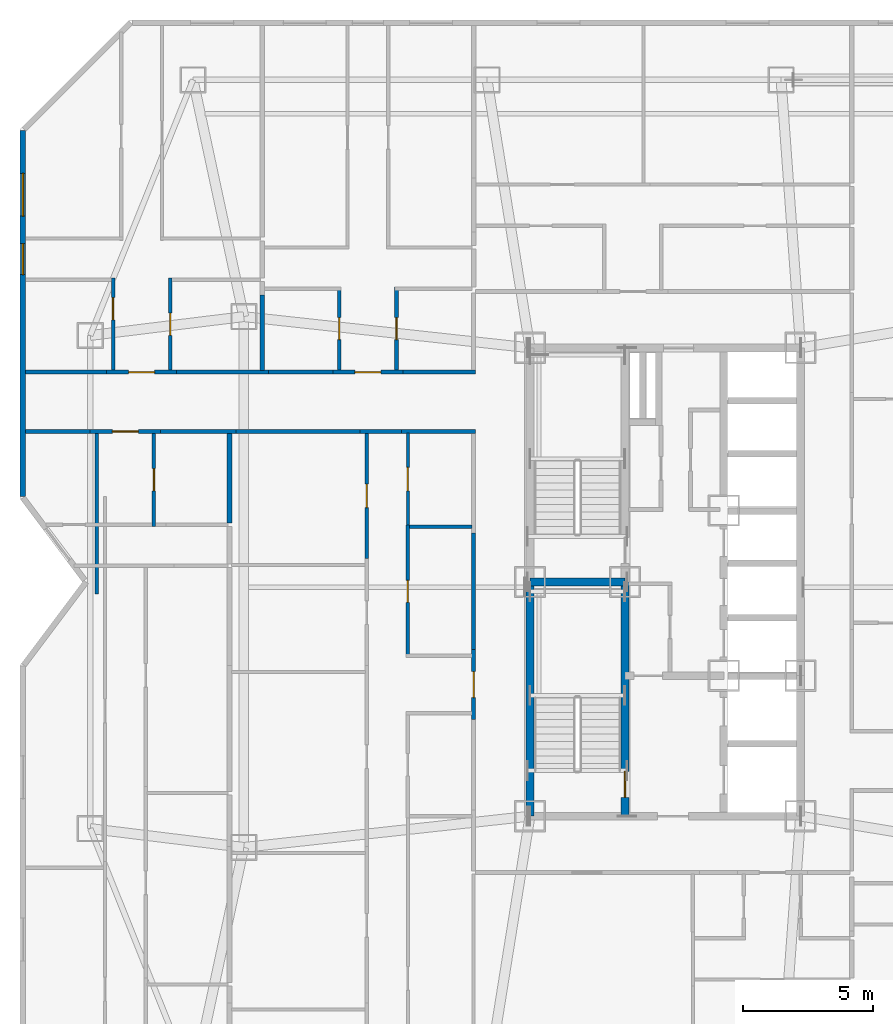
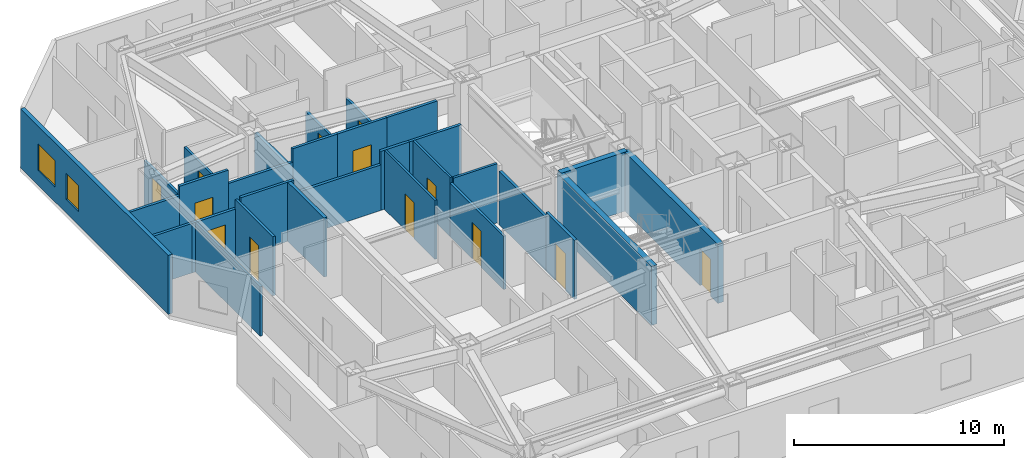
# One storey, part 7 of 12: 30 walls, 13 doors, 2 windows, 15 openings.
"""IFC4 building model written with IfcOpenShell, lengths in metres."""

from ifc_helpers import new_model, si_unit, direction, frame, frame_2d, origin, place, context, subcontext, project, spatial, rectangle, extrude, material, layer, layer_set, type_object, element, fill, save


model = new_model("IFC4")

# Units and contexts
model_context = context("Model", 3, precision=1e-05, world=origin(), true_north=direction((0.0, 1.0)))
body_context = subcontext(model_context, "Body", "Model", "MODEL_VIEW")
ifc_project = project(units=[si_unit("LENGTHUNIT", "METRE"), si_unit("AREAUNIT", "SQUARE_METRE"), si_unit("VOLUMEUNIT", "CUBIC_METRE"), si_unit("PLANEANGLEUNIT", "RADIAN"), si_unit("MASSUNIT", "GRAM", prefix="KILO")], contexts=[model_context])

# Site, building, storey
site_placement = place(None, origin())
site = spatial("IfcSite", under=ifc_project, at=site_placement, CompositionType="ELEMENT")
building_placement = place(site_placement, origin())
building = spatial("IfcBuilding", under=site, at=building_placement, Name="Khamvora Tower", CompositionType="ELEMENT")
storey_placement = place(building_placement, frame((0.0, 0.0, 127.449951171875)))
storey = spatial("IfcBuildingStorey", under=building, at=storey_placement, Name="L32", CompositionType="ELEMENT", Elevation=127.449951171875)

# Wall
ifc_material_1 = material(Name="Concrete C50/60", Category="concrete")
ifc_layer_1 = layer(ifc_material_1, 0.300048828125)
ifc_layer_set_1 = layer_set([ifc_layer_1], Name="Concrete C50/60")
wall_type_1 = type_object("IfcWallType", Name="WAL-CORE-300", PredefinedType="SHEAR", material=ifc_layer_set_1)
wall_1_placement = place(storey_placement, frame((29.0, 19.0, 0.0), z_axis=(0.0, 0.0, 1.0), x_axis=(0.0, 1.0, 0.0)))
element("IfcWall", 1, at=wall_1_placement, inside=storey, type_object=wall_type_1, Name="L32 central core west south wall", PredefinedType="SHEAR", context=body_context, shape_type="SweptSolid", body=[
    extrude(rectangle(XDim=9.0, YDim=0.300048828125, at=frame_2d((4.5, 0.0))), origin(), (0.0, 0.0, 1.0), 3.429931640625),
])

# Wall, opening, door
wall_2_placement = place(storey_placement, frame((32.64990234375, 19.0, 0.0), z_axis=(0.0, 0.0, 1.0), x_axis=(0.0, 1.0, 0.0)))
wall_2 = element("IfcWall", 2, at=wall_2_placement, inside=storey, type_object=wall_type_1, Name="L32 central core stair south spine wall", PredefinedType="SHEAR", context=body_context, shape_type="SweptSolid", body=[
    extrude(rectangle(XDim=9.0, YDim=0.300048828125, at=frame_2d((4.5, 0.0))), origin(), (0.0, 0.0, 1.0), 3.429931640625),
])
opening_1_placement = place(wall_2_placement, frame((0.719970703125, 0.0, 0.0)))
opening_1 = element("IfcOpeningElement", 3, at=opening_1_placement, cuts=wall_2, Name="Opening D-ST1", PredefinedType="OPENING", context=body_context, shape_type="SweptSolid", body=[
    extrude(rectangle(XDim=1.0, YDim=2.14990234375, at=frame_2d((0.5, 1.074951171875))), frame((0.0, 0.159912109375, 0.0), z_axis=(0.0, -1.0, 0.0), x_axis=(1.0, 0.0, 0.0)), (0.0, 0.0, 1.0), 0.320068359375),
])
ifc_material_2 = material(Name="Powder-Coated Steel and Hardwood Leaf", Category="steel")
door_type_1 = type_object("IfcDoorType", Name="DOR-STAIR-1000", OperationType="NOTDEFINED", PredefinedType="DOOR", material=ifc_material_2)
door_1_placement = place(opening_1_placement, origin())
door_1 = element("IfcDoor", 4, at=door_1_placement, inside=storey, type_object=door_type_1, Name="L32 exit stair ST-01 fire door", OperationType="SINGLE_SWING_RIGHT", OverallHeight=2.14990234375, OverallWidth=1.0, PredefinedType="DOOR", context=body_context, shape_type="SweptSolid", body=[
    extrude(rectangle(XDim=1.0, YDim=2.14990234375, at=frame_2d((0.5, 1.074951171875))), frame((0.0, 0.02490234375, 0.0), z_axis=(0.0, -1.0, 0.0), x_axis=(1.0, 0.0, 0.0)), (0.0, 0.0, 1.0), 0.050048828125),
])
fill(opening_1, door_1)

# Wall
wall_3_placement = place(storey_placement, frame((29.0, 28.0, 0.0), z_axis=(0.0, 0.0, 1.0), x_axis=(1.0, 0.0, 0.0)))
element("IfcWall", 5, at=wall_3_placement, inside=storey, type_object=wall_type_1, Name="L32 central core stair cross wall", PredefinedType="SHEAR", context=body_context, shape_type="SweptSolid", body=[
    extrude(rectangle(XDim=3.64990234375, YDim=0.300048828125, at=frame_2d((1.824951171875, 0.0))), origin(), (0.0, 0.0, 1.0), 3.429931640625),
])

# Wall, opening, door
ifc_material_3 = material(Name="Fire-Rated Drywall and Steel Stud", Category="steel")
ifc_layer_2 = layer(ifc_material_3, 0.14990234375)
ifc_layer_set_2 = layer_set([ifc_layer_2], Name="Fire-Rated Drywall and Steel Stud")
wall_type_2 = type_object("IfcWallType", Name="WAL-CORR-150", PredefinedType="STANDARD", material=ifc_layer_set_2)
wall_4_placement = place(storey_placement, frame((14.7958984375, 33.784912109375, 0.0), z_axis=(0.0, 0.0, 1.0), x_axis=(-1.0, 0.0, 0.0)))
wall_4 = element("IfcWall", 6, at=wall_4_placement, inside=storey, type_object=wall_type_2, Name="L32 interior partition wall 009", PredefinedType="STANDARD", context=body_context, shape_type="SweptSolid", body=[
    extrude(rectangle(XDim=2.697998046875, YDim=0.14990234375, at=frame_2d((1.34912109375, 0.0))), origin(), (0.0, 0.0, 1.0), 2.8759765625),
])
opening_2_placement = place(wall_4_placement, frame((0.84912109375, 0.0, 0.0)))
opening_2 = element("IfcOpeningElement", 7, at=opening_2_placement, cuts=wall_4, Name="Opening D-U1", PredefinedType="OPENING", context=body_context, shape_type="SweptSolid", body=[
    extrude(rectangle(XDim=1.0, YDim=2.14990234375, at=frame_2d((0.5, 1.074951171875))), frame((0.0, 0.0849609375, 0.0), z_axis=(0.0, -1.0, 0.0), x_axis=(1.0, 0.0, 0.0)), (0.0, 0.0, 1.0), 0.169921875),
])
door_type_2 = type_object("IfcDoorType", Name="DOR-UNIT-1000", OperationType="NOTDEFINED", PredefinedType="DOOR", material=ifc_material_2)
door_2_placement = place(opening_2_placement, origin())
door_2 = element("IfcDoor", 8, at=door_2_placement, inside=storey, type_object=door_type_2, Name="L32 interior door COR-32WA1H", OperationType="SINGLE_SWING_RIGHT", OverallHeight=2.14990234375, OverallWidth=1.0, PredefinedType="DOOR", context=body_context, shape_type="SweptSolid", body=[
    extrude(rectangle(XDim=1.0, YDim=2.14990234375, at=frame_2d((0.5, 1.074951171875))), frame((0.0, 0.02490234375, 0.0), z_axis=(0.0, -1.0, 0.0), x_axis=(1.0, 0.0, 0.0)), (0.0, 0.0, 1.0), 0.050048828125),
])
fill(opening_2, door_2)

# Walls
wall_5_placement = place(storey_placement, frame((12.097900390625, 33.784912109375, 0.0), z_axis=(0.0, 0.0, 1.0), x_axis=(-1.0, 0.0, 0.0)))
element("IfcWall", 9, at=wall_5_placement, inside=storey, type_object=wall_type_2, Name="L32 interior partition wall 010", PredefinedType="STANDARD", context=body_context, shape_type="SweptSolid", body=[
    extrude(rectangle(XDim=2.48583984375, YDim=0.14990234375, at=frame_2d((1.242919921875, 0.0))), origin(), (0.0, 0.0, 1.0), 2.8759765625),
])
wall_6_placement = place(storey_placement, frame((17.698974609375, 33.784912109375, 0.0), z_axis=(0.0, 0.0, 1.0), x_axis=(-1.0, 0.0, 0.0)))
element("IfcWall", 10, at=wall_6_placement, inside=storey, type_object=wall_type_2, Name="L32 interior partition wall 011", PredefinedType="STANDARD", context=body_context, shape_type="SweptSolid", body=[
    extrude(rectangle(XDim=2.903076171875, YDim=0.14990234375, at=frame_2d((1.45166015625, 0.0))), origin(), (0.0, 0.0, 1.0), 3.429931640625),
])
wall_7_placement = place(storey_placement, frame((26.89794921875, 33.784912109375, 0.0), z_axis=(0.0, 0.0, 1.0), x_axis=(-1.0, 0.0, 0.0)))
element("IfcWall", 11, at=wall_7_placement, inside=storey, type_object=wall_type_2, Name="L32 interior partition wall 014", PredefinedType="STANDARD", context=body_context, shape_type="SweptSolid", body=[
    extrude(rectangle(XDim=2.842041015625, YDim=0.14990234375, at=frame_2d((1.4208984375, 0.0))), origin(), (0.0, 0.0, 1.0), 3.429931640625),
])

# Wall, opening, door
wall_8_placement = place(storey_placement, frame((26.8349609375, 22.7099609375, 0.0), z_axis=(0.0, 0.0, 1.0), x_axis=(0.0, 1.0, 0.0)))
wall_8 = element("IfcWall", 12, at=wall_8_placement, inside=storey, type_object=wall_type_2, Name="L32 interior partition wall 015", PredefinedType="STANDARD", context=body_context, shape_type="SweptSolid", body=[
    extrude(rectangle(XDim=2.697998046875, YDim=0.14990234375, at=frame_2d((1.34912109375, 0.0))), origin(), (0.0, 0.0, 1.0), 3.429931640625),
])
opening_3_placement = place(wall_8_placement, frame((0.84912109375, 0.0, 0.0)))
opening_3 = element("IfcOpeningElement", 13, at=opening_3_placement, cuts=wall_8, Name="Opening D-U1", PredefinedType="OPENING", context=body_context, shape_type="SweptSolid", body=[
    extrude(rectangle(XDim=1.0, YDim=2.14990234375, at=frame_2d((0.5, 1.074951171875))), frame((0.0, 0.0849609375, 0.0), z_axis=(0.0, -1.0, 0.0), x_axis=(1.0, 0.0, 0.0)), (0.0, 0.0, 1.0), 0.169921875),
])
door_3_placement = place(opening_3_placement, origin())
door_3 = element("IfcDoor", 14, at=door_3_placement, inside=storey, type_object=door_type_2, Name="L32 interior door COR-32WA2H", OperationType="SINGLE_SWING_LEFT", OverallHeight=2.14990234375, OverallWidth=1.0, PredefinedType="DOOR", context=body_context, shape_type="SweptSolid", body=[
    extrude(rectangle(XDim=1.0, YDim=2.14990234375, at=frame_2d((0.5, 1.074951171875))), frame((0.0, 0.02490234375, 0.0), z_axis=(0.0, -1.0, 0.0), x_axis=(1.0, 0.0, 0.0)), (0.0, 0.0, 1.0), 0.050048828125),
])
fill(opening_3, door_3)

# Walls
wall_9_placement = place(storey_placement, frame((24.055908203125, 33.784912109375, 0.0), z_axis=(0.0, 0.0, 1.0), x_axis=(-1.0, 0.0, 0.0)))
element("IfcWall", 15, at=wall_9_placement, inside=storey, type_object=wall_type_2, Name="L32 interior partition wall 016", PredefinedType="STANDARD", context=body_context, shape_type="SweptSolid", body=[
    extrude(rectangle(XDim=1.579833984375, YDim=0.14990234375, at=frame_2d((0.7900390625, 0.0))), origin(), (0.0, 0.0, 1.0), 3.429931640625),
])
wall_10_placement = place(storey_placement, frame((26.8349609375, 25.407958984375, 0.0), z_axis=(0.0, 0.0, 1.0), x_axis=(0.0, 1.0, 0.0)))
element("IfcWall", 16, at=wall_10_placement, inside=storey, type_object=wall_type_2, Name="L32 interior partition wall 018", PredefinedType="STANDARD", context=body_context, shape_type="SweptSolid", body=[
    extrude(rectangle(XDim=4.467041015625, YDim=0.14990234375, at=frame_2d((2.2333984375, 0.0))), origin(), (0.0, 0.0, 1.0), 3.10693359375),
])
wall_11_placement = place(storey_placement, frame((22.47607421875, 33.784912109375, 0.0), z_axis=(0.0, 0.0, 1.0), x_axis=(-1.0, 0.0, 0.0)))
element("IfcWall", 17, at=wall_11_placement, inside=storey, type_object=wall_type_2, Name="L32 interior partition wall 019", PredefinedType="STANDARD", context=body_context, shape_type="SweptSolid", body=[
    extrude(rectangle(XDim=4.777099609375, YDim=0.14990234375, at=frame_2d((2.388671875, 0.0))), origin(), (0.0, 0.0, 1.0), 2.64697265625),
])

# Wall, opening, door
wall_12_placement = place(storey_placement, frame((12.72607421875, 36.06494140625, 0.0), z_axis=(0.0, 0.0, 1.0), x_axis=(1.0, 0.0, 0.0)))
wall_12 = element("IfcWall", 18, at=wall_12_placement, inside=storey, type_object=wall_type_2, Name="L32 interior partition wall 020", PredefinedType="STANDARD", context=body_context, shape_type="SweptSolid", body=[
    extrude(rectangle(XDim=2.697998046875, YDim=0.14990234375, at=frame_2d((1.34912109375, 0.0))), origin(), (0.0, 0.0, 1.0), 3.429931640625),
])
opening_4_placement = place(wall_12_placement, frame((0.84912109375, 0.0, 0.0)))
opening_4 = element("IfcOpeningElement", 19, at=opening_4_placement, cuts=wall_12, Name="Opening D-U1", PredefinedType="OPENING", context=body_context, shape_type="SweptSolid", body=[
    extrude(rectangle(XDim=1.0, YDim=2.14990234375, at=frame_2d((0.5, 1.074951171875))), frame((0.0, 0.0849609375, 0.0), z_axis=(0.0, -1.0, 0.0), x_axis=(1.0, 0.0, 0.0)), (0.0, 0.0, 1.0), 0.169921875),
])
door_4_placement = place(opening_4_placement, origin())
door_4 = element("IfcDoor", 20, at=door_4_placement, inside=storey, type_object=door_type_2, Name="L32 interior door COR-32WBH", OperationType="SINGLE_SWING_RIGHT", OverallHeight=2.14990234375, OverallWidth=1.0, PredefinedType="DOOR", context=body_context, shape_type="SweptSolid", body=[
    extrude(rectangle(XDim=1.0, YDim=2.14990234375, at=frame_2d((0.5, 1.074951171875))), frame((0.0, 0.02490234375, 0.0), z_axis=(0.0, -1.0, 0.0), x_axis=(1.0, 0.0, 0.0)), (0.0, 0.0, 1.0), 0.050048828125),
])
fill(opening_4, door_4)

# Walls
wall_13_placement = place(storey_placement, frame((9.612060546875, 36.06494140625, 0.0), z_axis=(0.0, 0.0, 1.0), x_axis=(1.0, 0.0, 0.0)))
element("IfcWall", 21, at=wall_13_placement, inside=storey, type_object=wall_type_2, Name="L32 interior partition wall 021", PredefinedType="STANDARD", context=body_context, shape_type="SweptSolid", body=[
    extrude(rectangle(XDim=3.114013671875, YDim=0.14990234375, at=frame_2d((1.55712890625, 0.0))), origin(), (0.0, 0.0, 1.0), 2.8759765625),
])
wall_14_placement = place(storey_placement, frame((15.424072265625, 36.06494140625, 0.0), z_axis=(0.0, 0.0, 1.0), x_axis=(1.0, 0.0, 0.0)))
element("IfcWall", 22, at=wall_14_placement, inside=storey, type_object=wall_type_2, Name="L32 interior partition wall 022", PredefinedType="STANDARD", context=body_context, shape_type="SweptSolid", body=[
    extrude(rectangle(XDim=3.530029296875, YDim=0.14990234375, at=frame_2d((1.76513671875, 0.0))), origin(), (0.0, 0.0, 1.0), 2.64697265625),
])

# Wall, opening, door
wall_15_placement = place(storey_placement, frame((21.4208984375, 36.06494140625, 0.0), z_axis=(0.0, 0.0, 1.0), x_axis=(1.0, 0.0, 0.0)))
wall_15 = element("IfcWall", 23, at=wall_15_placement, inside=storey, type_object=wall_type_2, Name="L32 interior partition wall 023", PredefinedType="STANDARD", context=body_context, shape_type="SweptSolid", body=[
    extrude(rectangle(XDim=2.697998046875, YDim=0.14990234375, at=frame_2d((1.34912109375, 0.0))), origin(), (0.0, 0.0, 1.0), 3.429931640625),
])
opening_5_placement = place(wall_15_placement, frame((0.84912109375, 0.0, 0.0)))
opening_5 = element("IfcOpeningElement", 24, at=opening_5_placement, cuts=wall_15, Name="Opening D-U1", PredefinedType="OPENING", context=body_context, shape_type="SweptSolid", body=[
    extrude(rectangle(XDim=1.0, YDim=2.14990234375, at=frame_2d((0.5, 1.074951171875))), frame((0.0, 0.0849609375, 0.0), z_axis=(0.0, -1.0, 0.0), x_axis=(1.0, 0.0, 0.0)), (0.0, 0.0, 1.0), 0.169921875),
])
door_5_placement = place(opening_5_placement, origin())
door_5 = element("IfcDoor", 25, at=door_5_placement, inside=storey, type_object=door_type_2, Name="L32 interior door COR-32WCH", OperationType="SINGLE_SWING_LEFT", OverallHeight=2.14990234375, OverallWidth=1.0, PredefinedType="DOOR", context=body_context, shape_type="SweptSolid", body=[
    extrude(rectangle(XDim=1.0, YDim=2.14990234375, at=frame_2d((0.5, 1.074951171875))), frame((0.0, 0.02490234375, 0.0), z_axis=(0.0, -1.0, 0.0), x_axis=(1.0, 0.0, 0.0)), (0.0, 0.0, 1.0), 0.050048828125),
])
fill(opening_5, door_5)

# Walls
wall_16_placement = place(storey_placement, frame((18.9541015625, 36.06494140625, 0.0), z_axis=(0.0, 0.0, 1.0), x_axis=(1.0, 0.0, 0.0)))
element("IfcWall", 26, at=wall_16_placement, inside=storey, type_object=wall_type_2, Name="L32 interior partition wall 024", PredefinedType="STANDARD", context=body_context, shape_type="SweptSolid", body=[
    extrude(rectangle(XDim=2.466796875, YDim=0.14990234375, at=frame_2d((1.2333984375, 0.0))), origin(), (0.0, 0.0, 1.0), 3.429931640625),
])
wall_17_placement = place(storey_placement, frame((24.118896484375, 36.06494140625, 0.0), z_axis=(0.0, 0.0, 1.0), x_axis=(1.0, 0.0, 0.0)))
element("IfcWall", 27, at=wall_17_placement, inside=storey, type_object=wall_type_2, Name="L32 interior partition wall 026", PredefinedType="STANDARD", context=body_context, shape_type="SweptSolid", body=[
    extrude(rectangle(XDim=2.779052734375, YDim=0.14990234375, at=frame_2d((1.3896484375, 0.0))), origin(), (0.0, 0.0, 1.0), 3.429931640625),
])
ifc_material_4 = material(Name="Acoustic Double-Stud Fire Wall", Category="gypsum")
ifc_layer_3 = layer(ifc_material_4, 0.179931640625)
ifc_layer_set_3 = layer_set([ifc_layer_3], Name="Acoustic Double-Stud Fire Wall")
wall_type_3 = type_object("IfcWallType", Name="WAL-CORR-180", PredefinedType="STANDARD", material=ifc_layer_set_3)
wall_18_placement = place(storey_placement, frame((17.449951171875, 33.718017578125, 0.0), z_axis=(0.0, 0.0, 1.0), x_axis=(0.0, -1.0, 0.0)))
element("IfcWall", 28, at=wall_18_placement, inside=storey, type_object=wall_type_3, Name="L32 interior partition wall 061", PredefinedType="STANDARD", context=body_context, shape_type="SweptSolid", body=[
    extrude(rectangle(XDim=3.447998046875, YDim=0.179931640625, at=frame_2d((1.72412109375, 0.0))), origin(), (0.0, 0.0, 1.0), 3.429931640625),
])
wall_19_placement = place(storey_placement, frame((18.705078125, 39.031005859375, 0.0), z_axis=(0.0, 0.0, 1.0), x_axis=(0.0, -1.0, 0.0)))
element("IfcWall", 29, at=wall_19_placement, inside=storey, type_object=wall_type_3, Name="L32 interior partition wall 098", PredefinedType="STANDARD", context=body_context, shape_type="SweptSolid", body=[
    extrude(rectangle(XDim=2.901123046875, YDim=0.179931640625, at=frame_2d((1.45068359375, 0.0))), origin(), (0.0, 0.0, 1.0), 2.64697265625),
])

# Wall, openings, windows
ifc_material_5 = material(Name="Precast concrete C40/50", Category="concrete")
ifc_layer_4 = layer(ifc_material_5, 0.219970703125)
ifc_layer_set_4 = layer_set([ifc_layer_4], Name="Precast concrete C40/50")
wall_type_4 = type_object("IfcWallType", Name="WAL-EXT-220", PredefinedType="STANDARD", material=ifc_layer_set_4)
wall_20_placement = place(storey_placement, frame((9.510009765625, 31.29296875, 0.0), z_axis=(0.0, 0.0, 1.0), x_axis=(0.0, 1.0, 0.0)))
wall_20 = element("IfcWall", 30, at=wall_20_placement, inside=storey, type_object=wall_type_4, Name="L32 exterior facade wall 05.1", PredefinedType="STANDARD", context=body_context, shape_type="SweptSolid", body=[
    extrude(rectangle(XDim=14.06103515625, YDim=0.219970703125, at=frame_2d((7.030517578125, 0.0))), origin(), (0.0, 0.0, 1.0), 3.429931640625),
])
opening_6_placement = place(wall_20_placement, frame((8.51708984375, 0.0, 0.800048828125)))
opening_6 = element("IfcOpeningElement", 31, at=opening_6_placement, cuts=wall_20, Name="Opening WN-03", PredefinedType="OPENING", context=body_context, shape_type="SweptSolid", body=[
    extrude(rectangle(XDim=1.199951171875, YDim=1.5, at=frame_2d((0.60009765625, 0.75))), frame((0.0, 0.119873046875, 0.0), z_axis=(0.0, -1.0, 0.0), x_axis=(1.0, 0.0, 0.0)), (0.0, 0.0, 1.0), 0.239990234375),
])
opening_7_placement = place(wall_20_placement, frame((10.76611328125, 0.0, 0.85009765625)))
opening_7 = element("IfcOpeningElement", 32, at=opening_7_placement, cuts=wall_20, Name="Opening WN-06", PredefinedType="OPENING", context=body_context, shape_type="SweptSolid", body=[
    extrude(rectangle(XDim=1.64990234375, YDim=1.550048828125, at=frame_2d((0.824951171875, 0.77490234375))), frame((0.0, 0.119873046875, 0.0), z_axis=(0.0, -1.0, 0.0), x_axis=(1.0, 0.0, 0.0)), (0.0, 0.0, 1.0), 0.239990234375),
])
ifc_material_6 = material(Name="Low-E Laminated Double Glazing", Category="glass")
window_type_1 = type_object("IfcWindowType", Name="WIN-VIS-1200x1500", PartitioningType="SINGLE_PANEL", PredefinedType="WINDOW", material=ifc_material_6)
window_1_placement = place(opening_6_placement, origin())
window_1 = element("IfcWindow", 33, at=window_1_placement, inside=storey, type_object=window_type_1, Name="L32 vision window 05.1.01", OverallHeight=1.5, OverallWidth=1.199951171875, PartitioningType="SINGLE_PANEL", PredefinedType="WINDOW", context=body_context, shape_type="SweptSolid", body=[
    extrude(rectangle(XDim=1.199951171875, YDim=1.5, at=frame_2d((0.60009765625, 0.75))), frame((0.0, 0.030029296875, 0.0), z_axis=(0.0, -1.0, 0.0), x_axis=(1.0, 0.0, 0.0)), (0.0, 0.0, 1.0), 0.06005859375),
])
fill(opening_6, window_1)
window_type_2 = type_object("IfcWindowType", Name="WIN-VIS-1650x1550", PartitioningType="SINGLE_PANEL", PredefinedType="WINDOW", material=ifc_material_6)
window_2_placement = place(opening_7_placement, origin())
window_2 = element("IfcWindow", 34, at=window_2_placement, inside=storey, type_object=window_type_2, Name="L32 vision window 05.1.02", OverallHeight=1.550048828125, OverallWidth=1.64990234375, PartitioningType="SINGLE_PANEL", PredefinedType="WINDOW", context=body_context, shape_type="SweptSolid", body=[
    extrude(rectangle(XDim=1.64990234375, YDim=1.550048828125, at=frame_2d((0.824951171875, 0.77490234375))), frame((0.0, 0.030029296875, 0.0), z_axis=(0.0, -1.0, 0.0), x_axis=(1.0, 0.0, 0.0)), (0.0, 0.0, 1.0), 0.06005859375),
])
fill(opening_7, window_2)

# Wall, opening, door
ifc_material_7 = material(Name="Gypsum Plasterboard Partition", Category="gypsum")
ifc_layer_5 = layer(ifc_material_7, 0.1201171875)
ifc_layer_set_5 = layer_set([ifc_layer_5], Name="Gypsum Plasterboard Partition")
wall_type_5 = type_object("IfcWallType", Name="WAL-PART-120", PredefinedType="PARTITIONING", material=ifc_layer_set_5)
wall_21_placement = place(storey_placement, frame((24.304931640625, 30.18896484375, 0.0), z_axis=(0.0, 0.0, 1.0), x_axis=(0.0, 1.0, 0.0)))
wall_21 = element("IfcWall", 35, at=wall_21_placement, inside=storey, type_object=wall_type_5, Name="L32 interior partition wall 073", PredefinedType="PARTITIONING", context=body_context, shape_type="SweptSolid", body=[
    extrude(rectangle(XDim=3.529052734375, YDim=0.1201171875, at=frame_2d((1.7646484375, 0.0))), origin(), (0.0, 0.0, 1.0), 3.429931640625),
])
opening_8_placement = place(wall_21_placement, frame((1.31494140625, 0.0, 0.0)))
opening_8 = element("IfcOpeningElement", 36, at=opening_8_placement, cuts=wall_21, Name="Opening D-RM1", PredefinedType="OPENING", context=body_context, shape_type="SweptSolid", body=[
    extrude(rectangle(XDim=0.89990234375, YDim=2.10009765625, at=frame_2d((0.449951171875, 1.050048828125))), frame((0.0, 0.070068359375, 0.0), z_axis=(0.0, -1.0, 0.0), x_axis=(1.0, 0.0, 0.0)), (0.0, 0.0, 1.0), 0.14013671875),
])
door_type_3 = type_object("IfcDoorType", Name="DOR-ROOM-900", OperationType="NOTDEFINED", PredefinedType="DOOR", material=ifc_material_2)
door_6_placement = place(opening_8_placement, origin())
door_6 = element("IfcDoor", 37, at=door_6_placement, inside=storey, type_object=door_type_3, Name="L32 interior door 32WA2W2-32WA2H", OperationType="SINGLE_SWING_RIGHT", OverallHeight=2.10009765625, OverallWidth=0.89990234375, PredefinedType="DOOR", context=body_context, shape_type="SweptSolid", body=[
    extrude(rectangle(XDim=0.89990234375, YDim=2.10009765625, at=frame_2d((0.449951171875, 1.050048828125))), frame((0.0, 0.02490234375, 0.0), z_axis=(0.0, -1.0, 0.0), x_axis=(1.0, 0.0, 0.0)), (0.0, 0.0, 1.0), 0.050048828125),
])
fill(opening_8, door_6)

wall_22_placement = place(storey_placement, frame((22.72509765625, 28.906005859375, 0.0), z_axis=(0.0, 0.0, 1.0), x_axis=(0.0, 1.0, 0.0)))
wall_22 = element("IfcWall", 38, at=wall_22_placement, inside=storey, type_object=wall_type_5, Name="L32 interior partition wall 083", PredefinedType="PARTITIONING", context=body_context, shape_type="SweptSolid", body=[
    extrude(rectangle(XDim=4.81201171875, YDim=0.1201171875, at=frame_2d((2.406005859375, 0.0))), origin(), (0.0, 0.0, 1.0), 3.429931640625),
])
opening_9_placement = place(wall_22_placement, frame((1.9560546875, 0.0, 0.0)))
opening_9 = element("IfcOpeningElement", 39, at=opening_9_placement, cuts=wall_22, Name="Opening D-RM1", PredefinedType="OPENING", context=body_context, shape_type="SweptSolid", body=[
    extrude(rectangle(XDim=0.89990234375, YDim=2.10009765625, at=frame_2d((0.449951171875, 1.050048828125))), frame((0.0, 0.070068359375, 0.0), z_axis=(0.0, -1.0, 0.0), x_axis=(1.0, 0.0, 0.0)), (0.0, 0.0, 1.0), 0.14013671875),
])
door_7_placement = place(opening_9_placement, origin())
door_7 = element("IfcDoor", 40, at=door_7_placement, inside=storey, type_object=door_type_3, Name="L32 interior door 32WA2H-32WA2R5", OperationType="SINGLE_SWING_LEFT", OverallHeight=2.10009765625, OverallWidth=0.89990234375, PredefinedType="DOOR", context=body_context, shape_type="SweptSolid", body=[
    extrude(rectangle(XDim=0.89990234375, YDim=2.10009765625, at=frame_2d((0.449951171875, 1.050048828125))), frame((0.0, 0.02490234375, 0.0), z_axis=(0.0, -1.0, 0.0), x_axis=(1.0, 0.0, 0.0)), (0.0, 0.0, 1.0), 0.050048828125),
])
fill(opening_9, door_7)

# Wall
ifc_material_8 = material(Name="Moisture-Resistant Plasterboard Partition", Category="gypsum")
ifc_layer_6 = layer(ifc_material_8, 0.135009765625)
ifc_layer_set_6 = layer_set([ifc_layer_6], Name="Moisture-Resistant Plasterboard Partition")
wall_type_6 = type_object("IfcWallType", Name="WAL-WET-135", PredefinedType="PARTITIONING", material=ifc_layer_set_6)
wall_23_placement = place(storey_placement, frame((12.346923828125, 27.5400390625, 0.0), z_axis=(0.0, 0.0, 1.0), x_axis=(0.0, 1.0, 0.0)))
element("IfcWall", 41, at=wall_23_placement, inside=storey, type_object=wall_type_6, Name="L32 interior partition wall 050", PredefinedType="PARTITIONING", context=body_context, shape_type="SweptSolid", body=[
    extrude(rectangle(XDim=6.177978515625, YDim=0.135009765625, at=frame_2d((3.0888671875, 0.0))), origin(), (0.0, 0.0, 1.0), 2.8759765625),
])

# Wall, opening, door
wall_24_placement = place(storey_placement, frame((14.547119140625, 33.718017578125, 0.0), z_axis=(0.0, 0.0, 1.0), x_axis=(0.0, -1.0, 0.0)))
wall_24 = element("IfcWall", 42, at=wall_24_placement, inside=storey, type_object=wall_type_6, Name="L32 interior partition wall 051", PredefinedType="PARTITIONING", context=body_context, shape_type="SweptSolid", body=[
    extrude(rectangle(XDim=3.578125, YDim=0.135009765625, at=frame_2d((1.7890625, 0.0))), origin(), (0.0, 0.0, 1.0), 3.429931640625),
])
opening_10_placement = place(wall_24_placement, frame((1.364013671875, 0.0, 0.0)))
opening_10 = element("IfcOpeningElement", 43, at=opening_10_placement, cuts=wall_24, Name="Opening D-RM2", PredefinedType="OPENING", context=body_context, shape_type="SweptSolid", body=[
    extrude(rectangle(XDim=0.85009765625, YDim=2.10009765625, at=frame_2d((0.425048828125, 1.050048828125))), frame((0.0, 0.077392578125, 0.0), z_axis=(0.0, -1.0, 0.0), x_axis=(1.0, 0.0, 0.0)), (0.0, 0.0, 1.0), 0.155029296875),
])
door_type_4 = type_object("IfcDoorType", Name="DOR-ROOM-850", OperationType="NOTDEFINED", PredefinedType="DOOR", material=ifc_material_2)
door_8_placement = place(opening_10_placement, origin())
door_8 = element("IfcDoor", 44, at=door_8_placement, inside=storey, type_object=door_type_4, Name="L32 interior door 32WA1H-32WA1K", OperationType="SINGLE_SWING_RIGHT", OverallHeight=2.10009765625, OverallWidth=0.85009765625, PredefinedType="DOOR", context=body_context, shape_type="SweptSolid", body=[
    extrude(rectangle(XDim=0.85009765625, YDim=2.10009765625, at=frame_2d((0.425048828125, 1.050048828125))), frame((0.0, 0.02490234375, 0.0), z_axis=(0.0, -1.0, 0.0), x_axis=(1.0, 0.0, 0.0)), (0.0, 0.0, 1.0), 0.050048828125),
])
fill(opening_10, door_8)

# Wall
wall_25_placement = place(storey_placement, frame((26.77001953125, 30.1240234375, 0.0), z_axis=(0.0, 0.0, 1.0), x_axis=(-1.0, 0.0, 0.0)))
element("IfcWall", 45, at=wall_25_placement, inside=storey, type_object=wall_type_6, Name="L32 interior partition wall 074", PredefinedType="PARTITIONING", context=body_context, shape_type="SweptSolid", body=[
    extrude(rectangle(XDim=2.39990234375, YDim=0.135009765625, at=frame_2d((1.199951171875, 0.0))), origin(), (0.0, 0.0, 1.0), 3.429931640625),
])

# Wall, opening, door
wall_26_placement = place(storey_placement, frame((24.304931640625, 30.18896484375, 0.0), z_axis=(0.0, 0.0, 1.0), x_axis=(0.0, -1.0, 0.0)))
wall_26 = element("IfcWall", 46, at=wall_26_placement, inside=storey, type_object=wall_type_6, Name="L32 interior partition wall 077", PredefinedType="PARTITIONING", context=body_context, shape_type="SweptSolid", body=[
    extrude(rectangle(XDim=5.094970703125, YDim=0.135009765625, at=frame_2d((2.54736328125, 0.0))), origin(), (0.0, 0.0, 1.0), 3.10693359375),
])
opening_11_placement = place(wall_26_placement, frame((2.123046875, 0.0, 0.0)))
opening_11 = element("IfcOpeningElement", 47, at=opening_11_placement, cuts=wall_26, Name="Opening D-RM2", PredefinedType="OPENING", context=body_context, shape_type="SweptSolid", body=[
    extrude(rectangle(XDim=0.85009765625, YDim=2.10009765625, at=frame_2d((0.425048828125, 1.050048828125))), frame((0.0, 0.077392578125, 0.0), z_axis=(0.0, -1.0, 0.0), x_axis=(1.0, 0.0, 0.0)), (0.0, 0.0, 1.0), 0.155029296875),
])
door_9_placement = place(opening_11_placement, origin())
door_9 = element("IfcDoor", 48, at=door_9_placement, inside=storey, type_object=door_type_4, Name="L32 interior door 32WA2H-32WA2K", OperationType="SINGLE_SWING_RIGHT", OverallHeight=2.10009765625, OverallWidth=0.85009765625, PredefinedType="DOOR", context=body_context, shape_type="SweptSolid", body=[
    extrude(rectangle(XDim=0.85009765625, YDim=2.10009765625, at=frame_2d((0.425048828125, 1.050048828125))), frame((0.0, 0.02490234375, 0.0), z_axis=(0.0, -1.0, 0.0), x_axis=(1.0, 0.0, 0.0)), (0.0, 0.0, 1.0), 0.050048828125),
])
fill(opening_11, door_9)

wall_27_placement = place(storey_placement, frame((12.97509765625, 36.1298828125, 0.0), z_axis=(0.0, 0.0, 1.0), x_axis=(0.0, 1.0, 0.0)))
wall_27 = element("IfcWall", 49, at=wall_27_placement, inside=storey, type_object=wall_type_6, Name="L32 interior partition wall 088", PredefinedType="PARTITIONING", context=body_context, shape_type="SweptSolid", body=[
    extrude(rectangle(XDim=3.55517578125, YDim=0.135009765625, at=frame_2d((1.777587890625, 0.0))), origin(), (0.0, 0.0, 1.0), 2.64697265625),
])
opening_12_placement = place(wall_27_placement, frame((1.947021484375, 0.0, 0.0)))
opening_12 = element("IfcOpeningElement", 50, at=opening_12_placement, cuts=wall_27, Name="Opening D-WC1", PredefinedType="OPENING", context=body_context, shape_type="SweptSolid", body=[
    extrude(rectangle(XDim=0.85009765625, YDim=2.10009765625, at=frame_2d((0.425048828125, 1.050048828125))), frame((0.0, 0.077392578125, 0.0), z_axis=(0.0, -1.0, 0.0), x_axis=(1.0, 0.0, 0.0)), (0.0, 0.0, 1.0), 0.155029296875),
])
door_type_5 = type_object("IfcDoorType", Name="DOR-WET-850", OperationType="NOTDEFINED", PredefinedType="DOOR", material=ifc_material_2)
door_10_placement = place(opening_12_placement, origin())
door_10 = element("IfcDoor", 51, at=door_10_placement, inside=storey, type_object=door_type_5, Name="L32 interior door 32WBH-32WBB", OperationType="SINGLE_SWING_RIGHT", OverallHeight=2.10009765625, OverallWidth=0.85009765625, PredefinedType="DOOR", context=body_context, shape_type="SweptSolid", body=[
    extrude(rectangle(XDim=0.85009765625, YDim=2.10009765625, at=frame_2d((0.425048828125, 1.050048828125))), frame((0.0, 0.02490234375, 0.0), z_axis=(0.0, -1.0, 0.0), x_axis=(1.0, 0.0, 0.0)), (0.0, 0.0, 1.0), 0.050048828125),
])
fill(opening_12, door_10)

wall_28_placement = place(storey_placement, frame((15.175048828125, 39.68505859375, 0.0), z_axis=(0.0, 0.0, 1.0), x_axis=(0.0, -1.0, 0.0)))
wall_28 = element("IfcWall", 52, at=wall_28_placement, inside=storey, type_object=wall_type_6, Name="L32 interior partition wall 091", PredefinedType="PARTITIONING", context=body_context, shape_type="SweptSolid", body=[
    extrude(rectangle(XDim=3.55517578125, YDim=0.135009765625, at=frame_2d((1.777587890625, 0.0))), origin(), (0.0, 0.0, 1.0), 2.64697265625),
])
opening_13_placement = place(wall_28_placement, frame((1.35302734375, 0.0, 0.0)))
opening_13 = element("IfcOpeningElement", 53, at=opening_13_placement, cuts=wall_28, Name="Opening D-RM2", PredefinedType="OPENING", context=body_context, shape_type="SweptSolid", body=[
    extrude(rectangle(XDim=0.85009765625, YDim=2.10009765625, at=frame_2d((0.425048828125, 1.050048828125))), frame((0.0, 0.077392578125, 0.0), z_axis=(0.0, -1.0, 0.0), x_axis=(1.0, 0.0, 0.0)), (0.0, 0.0, 1.0), 0.155029296875),
])
door_11_placement = place(opening_13_placement, origin())
door_11 = element("IfcDoor", 54, at=door_11_placement, inside=storey, type_object=door_type_4, Name="L32 interior door 32WBH-32WBK", OperationType="SINGLE_SWING_LEFT", OverallHeight=2.10009765625, OverallWidth=0.85009765625, PredefinedType="DOOR", context=body_context, shape_type="SweptSolid", body=[
    extrude(rectangle(XDim=0.85009765625, YDim=2.10009765625, at=frame_2d((0.425048828125, 1.050048828125))), frame((0.0, 0.02490234375, 0.0), z_axis=(0.0, -1.0, 0.0), x_axis=(1.0, 0.0, 0.0)), (0.0, 0.0, 1.0), 0.050048828125),
])
fill(opening_13, door_11)

wall_29_placement = place(storey_placement, frame((21.669921875, 36.1298828125, 0.0), z_axis=(0.0, 0.0, 1.0), x_axis=(0.0, 1.0, 0.0)))
wall_29 = element("IfcWall", 55, at=wall_29_placement, inside=storey, type_object=wall_type_6, Name="L32 interior partition wall 100", PredefinedType="PARTITIONING", context=body_context, shape_type="SweptSolid", body=[
    extrude(rectangle(XDim=3.215087890625, YDim=0.135009765625, at=frame_2d((1.607421875, 0.0))), origin(), (0.0, 0.0, 1.0), 2.64697265625),
])
opening_14_placement = place(wall_29_placement, frame((1.181884765625, 0.0, 0.0)))
opening_14 = element("IfcOpeningElement", 56, at=opening_14_placement, cuts=wall_29, Name="Opening D-WC1", PredefinedType="OPENING", context=body_context, shape_type="SweptSolid", body=[
    extrude(rectangle(XDim=0.85009765625, YDim=2.10009765625, at=frame_2d((0.425048828125, 1.050048828125))), frame((0.0, 0.077392578125, 0.0), z_axis=(0.0, -1.0, 0.0), x_axis=(1.0, 0.0, 0.0)), (0.0, 0.0, 1.0), 0.155029296875),
])
door_12_placement = place(opening_14_placement, origin())
door_12 = element("IfcDoor", 57, at=door_12_placement, inside=storey, type_object=door_type_5, Name="L32 interior door 32WCH-32WCB", OperationType="SINGLE_SWING_RIGHT", OverallHeight=2.10009765625, OverallWidth=0.85009765625, PredefinedType="DOOR", context=body_context, shape_type="SweptSolid", body=[
    extrude(rectangle(XDim=0.85009765625, YDim=2.10009765625, at=frame_2d((0.425048828125, 1.050048828125))), frame((0.0, 0.02490234375, 0.0), z_axis=(0.0, -1.0, 0.0), x_axis=(1.0, 0.0, 0.0)), (0.0, 0.0, 1.0), 0.050048828125),
])
fill(opening_14, door_12)

wall_30_placement = place(storey_placement, frame((23.8701171875, 39.344970703125, 0.0), z_axis=(0.0, 0.0, 1.0), x_axis=(0.0, -1.0, 0.0)))
wall_30 = element("IfcWall", 58, at=wall_30_placement, inside=storey, type_object=wall_type_6, Name="L32 interior partition wall 103", PredefinedType="PARTITIONING", context=body_context, shape_type="SweptSolid", body=[
    extrude(rectangle(XDim=3.215087890625, YDim=0.135009765625, at=frame_2d((1.607421875, 0.0))), origin(), (0.0, 0.0, 1.0), 2.64697265625),
])
opening_15_placement = place(wall_30_placement, frame((1.181884765625, 0.0, 0.0)))
opening_15 = element("IfcOpeningElement", 59, at=opening_15_placement, cuts=wall_30, Name="Opening D-RM2", PredefinedType="OPENING", context=body_context, shape_type="SweptSolid", body=[
    extrude(rectangle(XDim=0.85009765625, YDim=2.10009765625, at=frame_2d((0.425048828125, 1.050048828125))), frame((0.0, 0.077392578125, 0.0), z_axis=(0.0, -1.0, 0.0), x_axis=(1.0, 0.0, 0.0)), (0.0, 0.0, 1.0), 0.155029296875),
])
door_13_placement = place(opening_15_placement, origin())
door_13 = element("IfcDoor", 60, at=door_13_placement, inside=storey, type_object=door_type_4, Name="L32 interior door 32WCH-32WCK", OperationType="SINGLE_SWING_LEFT", OverallHeight=2.10009765625, OverallWidth=0.85009765625, PredefinedType="DOOR", context=body_context, shape_type="SweptSolid", body=[
    extrude(rectangle(XDim=0.85009765625, YDim=2.10009765625, at=frame_2d((0.425048828125, 1.050048828125))), frame((0.0, 0.02490234375, 0.0), z_axis=(0.0, -1.0, 0.0), x_axis=(1.0, 0.0, 0.0)), (0.0, 0.0, 1.0), 0.050048828125),
])
fill(opening_15, door_13)

save(model, "model.ifc")
